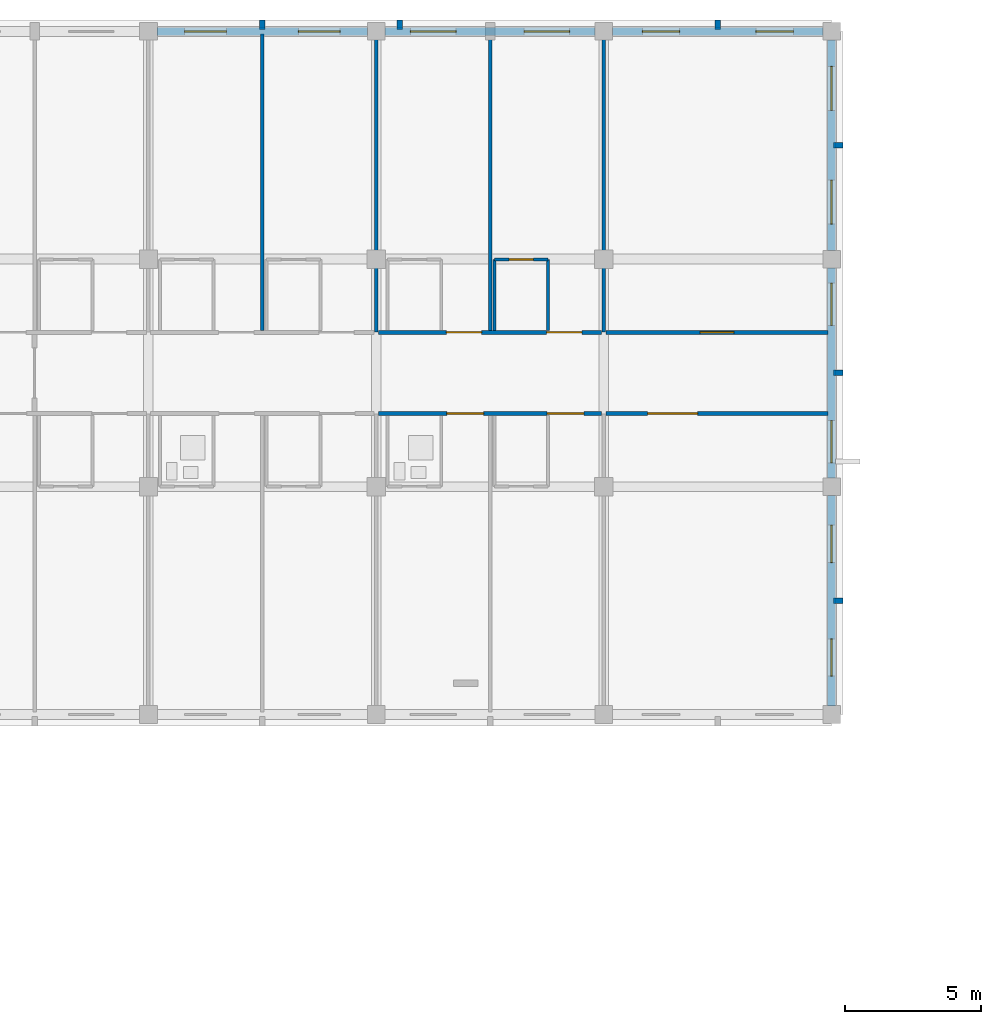
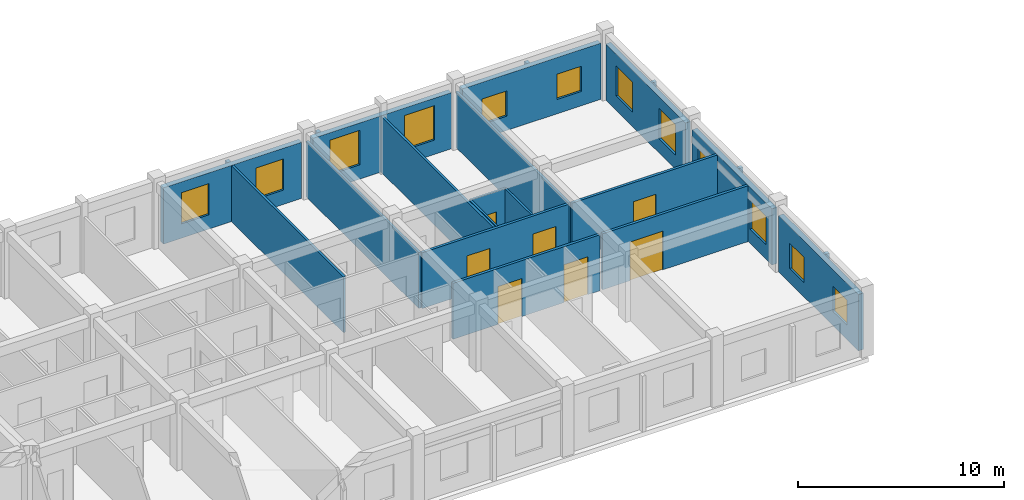
# One storey, part 76 of 90: 23 walls, 12 windows, 7 doors, 19 openings.
"""IFC4 building model written with IfcOpenShell, lengths in metres."""

from ifc_helpers import new_model, si_unit, direction, frame, frame_2d, origin, place, context, subcontext, project, spatial, rectangle, extrude, material, layer, layer_set, type_object, element, fill, save


model = new_model("IFC4")

# Units and contexts
model_context = context("Model", 3, precision=1e-05, world=origin(), true_north=direction((0.0, 1.0)))
body_context = subcontext(model_context, "Body", "Model", "MODEL_VIEW")
ifc_project = project(units=[si_unit("LENGTHUNIT", "METRE"), si_unit("AREAUNIT", "SQUARE_METRE"), si_unit("VOLUMEUNIT", "CUBIC_METRE"), si_unit("PLANEANGLEUNIT", "RADIAN"), si_unit("MASSUNIT", "GRAM", prefix="KILO")], contexts=[model_context])

# Site, building, storey
site_placement = place(None, origin())
site = spatial("IfcSite", under=ifc_project, at=site_placement, CompositionType="ELEMENT")
building_placement = place(site_placement, origin())
building = spatial("IfcBuilding", under=site, at=building_placement, Name="Trelvath General Hospital", CompositionType="ELEMENT")
storey_placement = place(building_placement, frame((0.0, 0.0, 20.39990234375)))
storey = spatial("IfcBuildingStorey", under=building, at=storey_placement, Name="L05", CompositionType="ELEMENT", Elevation=20.39990234375)

# Walls
ifc_material_1 = material(Name="Precast concrete C40/50", Category="concrete")
ifc_layer_1 = layer(ifc_material_1, 0.199951171875)
ifc_layer_set_1 = layer_set([ifc_layer_1], Name="Precast concrete C40/50")
wall_type_1 = type_object("IfcWallType", Name="BriseSoleilRib 200", PredefinedType="ELEMENTEDWALL", material=ifc_layer_set_1)
for number, where, z_axis, x_axis, name in (
    (1, (113.39990234375, 117.675048828125, 0.0), (0.0, 0.0, 1.0), (0.0, 1.0, 0.0), "Precast Concrete Brise-Soleil Rib Fin L05-402"),
    (2, (118.463134765625, 117.675048828125, 0.0), (0.0, 0.0, 1.0), (0.0, 1.0, 0.0), "Precast Concrete Brise-Soleil Rib Fin L05-404"),
    (3, (134.47509765625, 96.60009765625, 0.0), (0.0, 0.0, 1.0), (1.0, 0.0, 0.0), "Precast Concrete Brise-Soleil Rib Fin L05-406"),
    (4, (134.47509765625, 105.0, 0.0), (0.0, 0.0, 1.0), (1.0, 0.0, 0.0), "Precast Concrete Brise-Soleil Rib Fin L05-407"),
    (5, (130.199951171875, 117.675048828125, 0.0), (0.0, 0.0, 1.0), (0.0, 1.0, 0.0), "Precast Concrete Brise-Soleil Rib Fin L05-408"),
    (6, (134.47509765625, 113.39990234375, 0.0), (0.0, 0.0, 1.0), (1.0, 0.0, 0.0), "Precast Concrete Brise-Soleil Rib Fin L05-409"),
):
    element("IfcWall", number, at=place(storey_placement, frame(where, z_axis=z_axis, x_axis=x_axis)), inside=storey, type_object=wall_type_1, Name=name, PredefinedType="ELEMENTEDWALL", context=body_context, shape_type="SweptSolid", body=[
        extrude(rectangle(XDim=0.33984375, YDim=0.199951171875, at=frame_2d((0.169921875, 0.0))), origin(), (0.0, 0.0, 1.0), 3.320068359375),
    ])

# Wall, openings, doors
ifc_material_2 = material(Name="Gypsum acoustic steel-stud partition", Category="steel")
ifc_layer_2 = layer(ifc_material_2, 0.14990234375)
ifc_layer_set_2 = layer_set([ifc_layer_2], Name="Gypsum acoustic steel-stud partition")
wall_type_2 = type_object("IfcWallType", Name="ClinicalPartition 150", PredefinedType="PARTITIONING", material=ifc_layer_set_2)
wall_1_placement = place(storey_placement, frame((117.679931640625, 103.5, 0.0), z_axis=(0.0, 0.0, 1.0), x_axis=(1.0, 0.0, 0.0)))
wall_1 = element("IfcWall", 7, at=wall_1_placement, inside=storey, type_object=wall_type_2, Name="Corridor Partition L05-2006", PredefinedType="PARTITIONING", context=body_context, shape_type="SweptSolid", body=[
    extrude(rectangle(XDim=8.239990234375, YDim=0.14990234375, at=frame_2d((4.1201171875, 0.0))), origin(), (0.0, 0.0, 1.0), 3.320068359375),
])
opening_1_placement = place(wall_1_placement, frame((2.530029296875, 0.0, 0.0)))
opening_1 = element("IfcOpeningElement", 8, at=opening_1_placement, cuts=wall_1, Name="Opening D-5-1293", PredefinedType="OPENING", context=body_context, shape_type="SweptSolid", body=[
    extrude(rectangle(XDim=1.35009765625, YDim=2.25, at=frame_2d((0.675048828125, 1.125))), frame((0.0, 0.0849609375, 0.0), z_axis=(0.0, -1.0, 0.0), x_axis=(1.0, 0.0, 0.0)), (0.0, 0.0, 1.0), 0.169921875),
])
opening_2_placement = place(wall_1_placement, frame((6.22998046875, 0.0, 0.0)))
opening_2 = element("IfcOpeningElement", 9, at=opening_2_placement, cuts=wall_1, Name="Opening D-5-1294", PredefinedType="OPENING", context=body_context, shape_type="SweptSolid", body=[
    extrude(rectangle(XDim=1.35009765625, YDim=2.25, at=frame_2d((0.675048828125, 1.125))), frame((0.0, 0.0849609375, 0.0), z_axis=(0.0, -1.0, 0.0), x_axis=(1.0, 0.0, 0.0)), (0.0, 0.0, 1.0), 0.169921875),
])
ifc_material_3 = material(Name="Airtight isolation bed door")
door_type_1 = type_object("IfcDoorType", Name="Door PatientIso 1350x2250", OperationType="NOTDEFINED", PredefinedType="DOOR", material=ifc_material_3)
door_1_placement = place(opening_1_placement, origin())
door_1 = element("IfcDoor", 10, at=door_1_placement, inside=storey, type_object=door_type_1, Name="Patient Room Door L05-1293", OperationType="SINGLE_SWING_LEFT", OverallHeight=2.25, OverallWidth=1.35009765625, PredefinedType="DOOR", context=body_context, shape_type="SweptSolid", body=[
    extrude(rectangle(XDim=1.35009765625, YDim=2.25, at=frame_2d((0.675048828125, 1.125))), frame((0.0, 0.02490234375, 0.0), z_axis=(0.0, -1.0, 0.0), x_axis=(1.0, 0.0, 0.0)), (0.0, 0.0, 1.0), 0.050048828125),
])
fill(opening_1, door_1)
door_2_placement = place(opening_2_placement, origin())
door_2 = element("IfcDoor", 11, at=door_2_placement, inside=storey, type_object=door_type_1, Name="Patient Room Door L05-1294", OperationType="SINGLE_SWING_RIGHT", OverallHeight=2.25, OverallWidth=1.35009765625, PredefinedType="DOOR", context=body_context, shape_type="SweptSolid", body=[
    extrude(rectangle(XDim=1.35009765625, YDim=2.25, at=frame_2d((0.675048828125, 1.125))), frame((0.0, 0.02490234375, 0.0), z_axis=(0.0, -1.0, 0.0), x_axis=(1.0, 0.0, 0.0)), (0.0, 0.0, 1.0), 0.050048828125),
])
fill(opening_2, door_2)

wall_2_placement = place(storey_placement, frame((125.919921875, 106.5, 0.0), z_axis=(0.0, 0.0, 1.0), x_axis=(-1.0, 0.0, 0.0)))
wall_2 = element("IfcWall", 12, at=wall_2_placement, inside=storey, type_object=wall_type_2, Name="Corridor Partition N L05-2015", PredefinedType="PARTITIONING", context=body_context, shape_type="SweptSolid", body=[
    extrude(rectangle(XDim=8.239990234375, YDim=0.14990234375, at=frame_2d((4.1201171875, 0.0))), origin(), (0.0, 0.0, 1.0), 3.320068359375),
])
opening_3_placement = place(wall_2_placement, frame((0.72998046875, 0.0, 0.0)))
opening_3 = element("IfcOpeningElement", 13, at=opening_3_placement, cuts=wall_2, Name="Opening D-5-1297", PredefinedType="OPENING", context=body_context, shape_type="SweptSolid", body=[
    extrude(rectangle(XDim=1.300048828125, YDim=2.25, at=frame_2d((0.64990234375, 1.125))), frame((0.0, 0.0849609375, 0.0), z_axis=(0.0, -1.0, 0.0), x_axis=(1.0, 0.0, 0.0)), (0.0, 0.0, 1.0), 0.169921875),
])
opening_4_placement = place(wall_2_placement, frame((4.429931640625, 0.0, 0.0)))
opening_4 = element("IfcOpeningElement", 14, at=opening_4_placement, cuts=wall_2, Name="Opening D-5-1298", PredefinedType="OPENING", context=body_context, shape_type="SweptSolid", body=[
    extrude(rectangle(XDim=1.300048828125, YDim=2.25, at=frame_2d((0.64990234375, 1.125))), frame((0.0, 0.0849609375, 0.0), z_axis=(0.0, -1.0, 0.0), x_axis=(1.0, 0.0, 0.0)), (0.0, 0.0, 1.0), 0.169921875),
])
ifc_material_4 = material(Name="Hospital bed-leaf timber door", Category="wood")
door_type_2 = type_object("IfcDoorType", Name="Door PatientBed 1300x2250", OperationType="NOTDEFINED", PredefinedType="DOOR", material=ifc_material_4)
door_3_placement = place(opening_3_placement, origin())
door_3 = element("IfcDoor", 15, at=door_3_placement, inside=storey, type_object=door_type_2, Name="Patient Room Door N L05-1297", OperationType="SINGLE_SWING_LEFT", OverallHeight=2.25, OverallWidth=1.300048828125, PredefinedType="DOOR", context=body_context, shape_type="SweptSolid", body=[
    extrude(rectangle(XDim=1.300048828125, YDim=2.25, at=frame_2d((0.64990234375, 1.125))), frame((0.0, 0.02490234375, 0.0), z_axis=(0.0, -1.0, 0.0), x_axis=(1.0, 0.0, 0.0)), (0.0, 0.0, 1.0), 0.050048828125),
])
fill(opening_3, door_3)
door_4_placement = place(opening_4_placement, origin())
door_4 = element("IfcDoor", 16, at=door_4_placement, inside=storey, type_object=door_type_2, Name="Patient Room Door N L05-1298", OperationType="SINGLE_SWING_LEFT", OverallHeight=2.25, OverallWidth=1.300048828125, PredefinedType="DOOR", context=body_context, shape_type="SweptSolid", body=[
    extrude(rectangle(XDim=1.300048828125, YDim=2.25, at=frame_2d((0.64990234375, 1.125))), frame((0.0, 0.02490234375, 0.0), z_axis=(0.0, -1.0, 0.0), x_axis=(1.0, 0.0, 0.0)), (0.0, 0.0, 1.0), 0.050048828125),
])
fill(opening_4, door_4)

# Wall, opening, door
wall_3_placement = place(storey_placement, frame((126.080078125, 103.5, 0.0), z_axis=(0.0, 0.0, 1.0), x_axis=(1.0, 0.0, 0.0)))
wall_3 = element("IfcWall", 17, at=wall_3_placement, inside=storey, type_object=wall_type_2, Name="Corridor Partition L05-2025", PredefinedType="PARTITIONING", context=body_context, shape_type="SweptSolid", body=[
    extrude(rectangle(XDim=8.179931640625, YDim=0.14990234375, at=frame_2d((4.08984375, 0.0))), origin(), (0.0, 0.0, 1.0), 3.320068359375),
])
opening_5_placement = place(wall_3_placement, frame((1.530029296875, 0.0, 0.0)))
opening_5 = element("IfcOpeningElement", 18, at=opening_5_placement, cuts=wall_3, Name="Opening D-5-1301", PredefinedType="OPENING", context=body_context, shape_type="SweptSolid", body=[
    extrude(rectangle(XDim=1.85009765625, YDim=2.300048828125, at=frame_2d((0.925048828125, 1.14990234375))), frame((0.0, 0.0849609375, 0.0), z_axis=(0.0, -1.0, 0.0), x_axis=(1.0, 0.0, 0.0)), (0.0, 0.0, 1.0), 0.169921875),
])
ifc_material_5 = material(Name="Fire-rated steel cross-corridor pair", Category="steel")
door_type_3 = type_object("IfcDoorType", Name="Door SmokeCross 1850x2300", OperationType="DOUBLE_SWING_LEFT", PredefinedType="DOOR", material=ifc_material_5)
door_5_placement = place(opening_5_placement, origin())
door_5 = element("IfcDoor", 19, at=door_5_placement, inside=storey, type_object=door_type_3, Name="Waiting Lounge Door L05-1301", OperationType="DOUBLE_SWING_LEFT", OverallHeight=2.300048828125, OverallWidth=1.85009765625, PredefinedType="DOOR", context=body_context, shape_type="SweptSolid", body=[
    extrude(rectangle(XDim=1.85009765625, YDim=2.300048828125, at=frame_2d((0.925048828125, 1.14990234375))), frame((0.0, 0.02490234375, 0.0), z_axis=(0.0, -1.0, 0.0), x_axis=(1.0, 0.0, 0.0)), (0.0, 0.0, 1.0), 0.050048828125),
])
fill(opening_5, door_5)

wall_4_placement = place(storey_placement, frame((134.260009765625, 106.5, 0.0), z_axis=(0.0, 0.0, 1.0), x_axis=(-1.0, 0.0, 0.0)))
wall_4 = element("IfcWall", 20, at=wall_4_placement, inside=storey, type_object=wall_type_2, Name="Corridor Partition N L05-2026", PredefinedType="PARTITIONING", context=body_context, shape_type="SweptSolid", body=[
    extrude(rectangle(XDim=8.179931640625, YDim=0.14990234375, at=frame_2d((4.08984375, 0.0))), origin(), (0.0, 0.0, 1.0), 3.320068359375),
])
opening_6_placement = place(wall_4_placement, frame((3.465087890625, 0.0, 0.0)))
opening_6 = element("IfcOpeningElement", 21, at=opening_6_placement, cuts=wall_4, Name="Opening D-5-1302", PredefinedType="OPENING", context=body_context, shape_type="SweptSolid", body=[
    extrude(rectangle(XDim=1.25, YDim=2.199951171875, at=frame_2d((0.625, 1.10009765625))), frame((0.0, 0.0849609375, 0.0), z_axis=(0.0, -1.0, 0.0), x_axis=(1.0, 0.0, 0.0)), (0.0, 0.0, 1.0), 0.169921875),
])
ifc_material_6 = material(Name="Acoustic hospital timber leaf", Category="wood")
door_type_4 = type_object("IfcDoorType", Name="Door Treatment 1250x2200", OperationType="NOTDEFINED", PredefinedType="DOOR", material=ifc_material_6)
door_6_placement = place(opening_6_placement, origin())
door_6 = element("IfcDoor", 22, at=door_6_placement, inside=storey, type_object=door_type_4, Name="Clinical Room Door L05-1302", OperationType="SINGLE_SWING_RIGHT", OverallHeight=2.199951171875, OverallWidth=1.25, PredefinedType="DOOR", context=body_context, shape_type="SweptSolid", body=[
    extrude(rectangle(XDim=1.25, YDim=2.199951171875, at=frame_2d((0.625, 1.10009765625))), frame((0.0, 0.02490234375, 0.0), z_axis=(0.0, -1.0, 0.0), x_axis=(1.0, 0.0, 0.0)), (0.0, 0.0, 1.0), 0.050048828125),
])
fill(opening_6, door_6)

# Walls
ifc_material_7 = material(Name="Moisture-resistant tile partition")
ifc_layer_3 = layer(ifc_material_7, 0.110107421875)
ifc_layer_set_3 = layer_set([ifc_layer_3], Name="Moisture-resistant tile partition")
wall_type_3 = type_object("IfcWallType", Name="EnSuiteWetWall 110", PredefinedType="PARTITIONING", material=ifc_layer_set_3)
for number, where, z_axis, x_axis, name in (
    (23, (121.9599609375, 106.570068359375, 0.0), (0.0, 0.0, 1.0), (0.0, 1.0, 0.0), "En-Suite W Wall N L05-2020"),
    (24, (123.93994140625, 106.570068359375, 0.0), (0.0, 0.0, 1.0), (0.0, 1.0, 0.0), "En-Suite E Wall N L05-2021"),
):
    element("IfcWall", number, at=place(storey_placement, frame(where, z_axis=z_axis, x_axis=x_axis)), inside=storey, type_object=wall_type_3, Name=name, PredefinedType="PARTITIONING", context=body_context, shape_type="SweptSolid", body=[
        extrude(rectangle(XDim=2.60986328125, YDim=0.110107421875, at=frame_2d((1.304931640625, 0.0))), origin(), (0.0, 0.0, 1.0), 3.320068359375),
    ])

# Wall, opening, door
wall_5_placement = place(storey_placement, frame((121.9599609375, 109.179931640625, 0.0), z_axis=(0.0, 0.0, 1.0), x_axis=(1.0, 0.0, 0.0)))
wall_5 = element("IfcWall", 25, at=wall_5_placement, inside=storey, type_object=wall_type_3, Name="En-Suite Bathroom N Partition L05-2022", PredefinedType="PARTITIONING", context=body_context, shape_type="SweptSolid", body=[
    extrude(rectangle(XDim=1.97998046875, YDim=0.110107421875, at=frame_2d((0.989990234375, 0.0))), origin(), (0.0, 0.0, 1.0), 3.320068359375),
])
opening_7_placement = place(wall_5_placement, frame((0.5400390625, 0.0, 0.0)))
opening_7 = element("IfcOpeningElement", 26, at=opening_7_placement, cuts=wall_5, Name="Opening D-5-1300", PredefinedType="OPENING", context=body_context, shape_type="SweptSolid", body=[
    extrude(rectangle(XDim=0.89990234375, YDim=2.10009765625, at=frame_2d((0.449951171875, 1.050048828125))), frame((0.0, 0.06494140625, 0.0), z_axis=(0.0, -1.0, 0.0), x_axis=(1.0, 0.0, 0.0)), (0.0, 0.0, 1.0), 0.130126953125),
])
ifc_material_8 = material(Name="Moisture-sealed timber leaf", Category="wood")
door_type_5 = type_object("IfcDoorType", Name="Door EnSuite 900x2100", OperationType="NOTDEFINED", PredefinedType="DOOR", material=ifc_material_8)
door_7_placement = place(opening_7_placement, origin())
door_7 = element("IfcDoor", 27, at=door_7_placement, inside=storey, type_object=door_type_5, Name="En-Suite Bathroom N Door L05-1300", OperationType="SINGLE_SWING_LEFT", OverallHeight=2.10009765625, OverallWidth=0.89990234375, PredefinedType="DOOR", context=body_context, shape_type="SweptSolid", body=[
    extrude(rectangle(XDim=0.89990234375, YDim=2.10009765625, at=frame_2d((0.449951171875, 1.050048828125))), frame((0.0, 0.02490234375, 0.0), z_axis=(0.0, -1.0, 0.0), x_axis=(1.0, 0.0, 0.0)), (0.0, 0.0, 1.0), 0.050048828125),
])
fill(opening_7, door_7)

# Wall, openings, windows
ifc_material_9 = material(Name="Concrete C35/45", Category="concrete")
ifc_layer_4 = layer(ifc_material_9, 0.2900390625)
ifc_layer_set_4 = layer_set([ifc_layer_4], Name="Concrete C35/45")
wall_type_4 = type_object("IfcWallType", Name="ExtBushHammeredWall 290", PredefinedType="SOLIDWALL", material=ifc_layer_set_4)
wall_6_placement = place(storey_placement, frame((109.52001953125, 117.60009765625, 0.0), z_axis=(0.0, 0.0, 1.0), x_axis=(1.0, 0.0, 0.0)))
wall_6 = element("IfcWall", 28, at=wall_6_placement, inside=storey, type_object=wall_type_4, Name="Exterior Concrete Wall L05-542", PredefinedType="SOLIDWALL", context=body_context, shape_type="SweptSolid", body=[
    extrude(rectangle(XDim=7.760009765625, YDim=0.2900390625, at=frame_2d((3.8798828125, 0.0))), origin(), (0.0, 0.0, 1.0), 3.340087890625),
])
opening_8_placement = place(wall_6_placement, frame((1.014892578125, 0.0, 0.85009765625)))
opening_8 = element("IfcOpeningElement", 29, at=opening_8_placement, cuts=wall_6, Name="Opening WN-5-901", PredefinedType="OPENING", context=body_context, shape_type="SweptSolid", body=[
    extrude(rectangle(XDim=1.5400390625, YDim=1.85009765625, at=frame_2d((0.77001953125, 0.925048828125))), frame((0.0, 0.155029296875, 0.0), z_axis=(0.0, -1.0, 0.0), x_axis=(1.0, 0.0, 0.0)), (0.0, 0.0, 1.0), 0.31005859375),
])
opening_9_placement = place(wall_6_placement, frame((5.205078125, 0.0, 0.85009765625)))
opening_9 = element("IfcOpeningElement", 30, at=opening_9_placement, cuts=wall_6, Name="Opening WN-5-902", PredefinedType="OPENING", context=body_context, shape_type="SweptSolid", body=[
    extrude(rectangle(XDim=1.5400390625, YDim=1.85009765625, at=frame_2d((0.77001953125, 0.925048828125))), frame((0.0, 0.155029296875, 0.0), z_axis=(0.0, -1.0, 0.0), x_axis=(1.0, 0.0, 0.0)), (0.0, 0.0, 1.0), 0.31005859375),
])
ifc_material_10 = material(Name="Low-E laminated glass", Category="glass")
window_type_1 = type_object("IfcWindowType", Name="Window Waiting 1540x1850", PartitioningType="DOUBLE_PANEL_VERTICAL", PredefinedType="WINDOW", material=ifc_material_10)
window_1_placement = place(opening_8_placement, origin())
window_1 = element("IfcWindow", 31, at=window_1_placement, inside=storey, type_object=window_type_1, Name="Solar Reveal Window L05-901", OverallHeight=1.85009765625, OverallWidth=1.5400390625, PartitioningType="SINGLE_PANEL", PredefinedType="WINDOW", context=body_context, shape_type="SweptSolid", body=[
    extrude(rectangle(XDim=1.5400390625, YDim=1.85009765625, at=frame_2d((0.77001953125, 0.925048828125))), frame((0.0, 0.030029296875, 0.0), z_axis=(0.0, -1.0, 0.0), x_axis=(1.0, 0.0, 0.0)), (0.0, 0.0, 1.0), 0.06005859375),
])
fill(opening_8, window_1)
window_2_placement = place(opening_9_placement, origin())
window_2 = element("IfcWindow", 32, at=window_2_placement, inside=storey, type_object=window_type_1, Name="Solar Reveal Window L05-902", OverallHeight=1.85009765625, OverallWidth=1.5400390625, PartitioningType="SINGLE_PANEL", PredefinedType="WINDOW", context=body_context, shape_type="SweptSolid", body=[
    extrude(rectangle(XDim=1.5400390625, YDim=1.85009765625, at=frame_2d((0.77001953125, 0.925048828125))), frame((0.0, 0.030029296875, 0.0), z_axis=(0.0, -1.0, 0.0), x_axis=(1.0, 0.0, 0.0)), (0.0, 0.0, 1.0), 0.06005859375),
])
fill(opening_9, window_2)

wall_7_placement = place(storey_placement, frame((117.919921875, 117.60009765625, 0.0), z_axis=(0.0, 0.0, 1.0), x_axis=(1.0, 0.0, 0.0)))
wall_7 = element("IfcWall", 33, at=wall_7_placement, inside=storey, type_object=wall_type_4, Name="Exterior Concrete Wall L05-544", PredefinedType="SOLIDWALL", context=body_context, shape_type="SweptSolid", body=[
    extrude(rectangle(XDim=7.760009765625, YDim=0.2900390625, at=frame_2d((3.8798828125, 0.0))), origin(), (0.0, 0.0, 1.0), 3.340087890625),
])
opening_10_placement = place(wall_7_placement, frame((0.94482421875, 0.0, 0.85009765625)))
opening_10 = element("IfcOpeningElement", 34, at=opening_10_placement, cuts=wall_7, Name="Opening WN-5-905", PredefinedType="OPENING", context=body_context, shape_type="SweptSolid", body=[
    extrude(rectangle(XDim=1.679931640625, YDim=2.050048828125, at=frame_2d((0.83984375, 1.02490234375))), frame((0.0, 0.155029296875, 0.0), z_axis=(0.0, -1.0, 0.0), x_axis=(1.0, 0.0, 0.0)), (0.0, 0.0, 1.0), 0.31005859375),
])
opening_11_placement = place(wall_7_placement, frame((5.13525390625, 0.0, 0.85009765625)))
opening_11 = element("IfcOpeningElement", 35, at=opening_11_placement, cuts=wall_7, Name="Opening WN-5-906", PredefinedType="OPENING", context=body_context, shape_type="SweptSolid", body=[
    extrude(rectangle(XDim=1.679931640625, YDim=2.050048828125, at=frame_2d((0.83984375, 1.02490234375))), frame((0.0, 0.155029296875, 0.0), z_axis=(0.0, -1.0, 0.0), x_axis=(1.0, 0.0, 0.0)), (0.0, 0.0, 1.0), 0.31005859375),
])
ifc_material_11 = material(Name="Low-E laminated glass", Category="glass")
window_type_2 = type_object("IfcWindowType", Name="Window Cafe 1680x2050", PartitioningType="DOUBLE_PANEL_VERTICAL", PredefinedType="WINDOW", material=ifc_material_11)
window_3_placement = place(opening_10_placement, origin())
window_3 = element("IfcWindow", 36, at=window_3_placement, inside=storey, type_object=window_type_2, Name="Solar Reveal Window L05-905", OverallHeight=2.050048828125, OverallWidth=1.679931640625, PartitioningType="SINGLE_PANEL", PredefinedType="WINDOW", context=body_context, shape_type="SweptSolid", body=[
    extrude(rectangle(XDim=1.679931640625, YDim=2.050048828125, at=frame_2d((0.83984375, 1.02490234375))), frame((0.0, 0.030029296875, 0.0), z_axis=(0.0, -1.0, 0.0), x_axis=(1.0, 0.0, 0.0)), (0.0, 0.0, 1.0), 0.06005859375),
])
fill(opening_10, window_3)
window_4_placement = place(opening_11_placement, origin())
window_4 = element("IfcWindow", 37, at=window_4_placement, inside=storey, type_object=window_type_2, Name="Solar Reveal Window L05-906", OverallHeight=2.050048828125, OverallWidth=1.679931640625, PartitioningType="SINGLE_PANEL", PredefinedType="WINDOW", context=body_context, shape_type="SweptSolid", body=[
    extrude(rectangle(XDim=1.679931640625, YDim=2.050048828125, at=frame_2d((0.83984375, 1.02490234375))), frame((0.0, 0.030029296875, 0.0), z_axis=(0.0, -1.0, 0.0), x_axis=(1.0, 0.0, 0.0)), (0.0, 0.0, 1.0), 0.06005859375),
])
fill(opening_11, window_4)

wall_8_placement = place(storey_placement, frame((134.39990234375, 100.47998046875, 0.0), z_axis=(0.0, 0.0, 1.0), x_axis=(0.0, -1.0, 0.0)))
wall_8 = element("IfcWall", 38, at=wall_8_placement, inside=storey, type_object=wall_type_4, Name="Exterior Concrete Wall L05-546", PredefinedType="SOLIDWALL", context=body_context, shape_type="SweptSolid", body=[
    extrude(rectangle(XDim=7.760009765625, YDim=0.2900390625, at=frame_2d((3.8798828125, 0.0))), origin(), (0.0, 0.0, 1.0), 3.340087890625),
])
opening_12_placement = place(wall_8_placement, frame((1.0947265625, 0.0, 0.85009765625)))
opening_12 = element("IfcOpeningElement", 39, at=opening_12_placement, cuts=wall_8, Name="Opening WN-5-909", PredefinedType="OPENING", context=body_context, shape_type="SweptSolid", body=[
    extrude(rectangle(XDim=1.3798828125, YDim=1.5, at=frame_2d((0.68994140625, 0.75))), frame((0.0, 0.155029296875, 0.0), z_axis=(0.0, -1.0, 0.0), x_axis=(1.0, 0.0, 0.0)), (0.0, 0.0, 1.0), 0.31005859375),
])
opening_13_placement = place(wall_8_placement, frame((5.28515625, 0.0, 0.85009765625)))
opening_13 = element("IfcOpeningElement", 40, at=opening_13_placement, cuts=wall_8, Name="Opening WN-5-910", PredefinedType="OPENING", context=body_context, shape_type="SweptSolid", body=[
    extrude(rectangle(XDim=1.3798828125, YDim=1.5, at=frame_2d((0.68994140625, 0.75))), frame((0.0, 0.155029296875, 0.0), z_axis=(0.0, -1.0, 0.0), x_axis=(1.0, 0.0, 0.0)), (0.0, 0.0, 1.0), 0.31005859375),
])
ifc_material_12 = material(Name="Low-E laminated glass", Category="glass")
window_type_3 = type_object("IfcWindowType", Name="Window Admin 1380x1500", PartitioningType="SINGLE_PANEL", PredefinedType="WINDOW", material=ifc_material_12)
window_5_placement = place(opening_12_placement, origin())
window_5 = element("IfcWindow", 41, at=window_5_placement, inside=storey, type_object=window_type_3, Name="Solar Reveal Window L05-909", OverallHeight=1.5, OverallWidth=1.3798828125, PartitioningType="SINGLE_PANEL", PredefinedType="WINDOW", context=body_context, shape_type="SweptSolid", body=[
    extrude(rectangle(XDim=1.3798828125, YDim=1.5, at=frame_2d((0.68994140625, 0.75))), frame((0.0, 0.030029296875, 0.0), z_axis=(0.0, -1.0, 0.0), x_axis=(1.0, 0.0, 0.0)), (0.0, 0.0, 1.0), 0.06005859375),
])
fill(opening_12, window_5)
window_6_placement = place(opening_13_placement, origin())
window_6 = element("IfcWindow", 42, at=window_6_placement, inside=storey, type_object=window_type_3, Name="Solar Reveal Window L05-910", OverallHeight=1.5, OverallWidth=1.3798828125, PartitioningType="SINGLE_PANEL", PredefinedType="WINDOW", context=body_context, shape_type="SweptSolid", body=[
    extrude(rectangle(XDim=1.3798828125, YDim=1.5, at=frame_2d((0.68994140625, 0.75))), frame((0.0, 0.030029296875, 0.0), z_axis=(0.0, -1.0, 0.0), x_axis=(1.0, 0.0, 0.0)), (0.0, 0.0, 1.0), 0.06005859375),
])
fill(opening_13, window_6)

wall_9_placement = place(storey_placement, frame((134.39990234375, 108.8798828125, 0.0), z_axis=(0.0, 0.0, 1.0), x_axis=(0.0, -1.0, 0.0)))
wall_9 = element("IfcWall", 43, at=wall_9_placement, inside=storey, type_object=wall_type_4, Name="Exterior Concrete Wall L05-547", PredefinedType="SOLIDWALL", context=body_context, shape_type="SweptSolid", body=[
    extrude(rectangle(XDim=7.759765625, YDim=0.2900390625, at=frame_2d((3.8798828125, 0.0))), origin(), (0.0, 0.0, 1.0), 3.340087890625),
])
opening_14_placement = place(wall_9_placement, frame((0.56494140625, 0.0, 0.85009765625)))
opening_14 = element("IfcOpeningElement", 44, at=opening_14_placement, cuts=wall_9, Name="Opening WN-5-911", PredefinedType="OPENING", context=body_context, shape_type="SweptSolid", body=[
    extrude(rectangle(XDim=1.56005859375, YDim=1.699951171875, at=frame_2d((0.780029296875, 0.85009765625))), frame((0.0, 0.155029296875, 0.0), z_axis=(0.0, -1.0, 0.0), x_axis=(1.0, 0.0, 0.0)), (0.0, 0.0, 1.0), 0.31005859375),
])
opening_15_placement = place(wall_9_placement, frame((5.635009765625, 0.0, 0.85009765625)))
opening_15 = element("IfcOpeningElement", 45, at=opening_15_placement, cuts=wall_9, Name="Opening WN-5-912", PredefinedType="OPENING", context=body_context, shape_type="SweptSolid", body=[
    extrude(rectangle(XDim=1.56005859375, YDim=1.699951171875, at=frame_2d((0.780029296875, 0.85009765625))), frame((0.0, 0.155029296875, 0.0), z_axis=(0.0, -1.0, 0.0), x_axis=(1.0, 0.0, 0.0)), (0.0, 0.0, 1.0), 0.31005859375),
])
ifc_material_13 = material(Name="Low-E laminated glass", Category="glass")
window_type_4 = type_object("IfcWindowType", Name="Window Dialysis 1560x1700", PartitioningType="DOUBLE_PANEL_VERTICAL", PredefinedType="WINDOW", material=ifc_material_13)
window_7_placement = place(opening_14_placement, origin())
window_7 = element("IfcWindow", 46, at=window_7_placement, inside=storey, type_object=window_type_4, Name="Solar Reveal Window L05-911", OverallHeight=1.699951171875, OverallWidth=1.56005859375, PartitioningType="SINGLE_PANEL", PredefinedType="WINDOW", context=body_context, shape_type="SweptSolid", body=[
    extrude(rectangle(XDim=1.56005859375, YDim=1.699951171875, at=frame_2d((0.780029296875, 0.85009765625))), frame((0.0, 0.030029296875, 0.0), z_axis=(0.0, -1.0, 0.0), x_axis=(1.0, 0.0, 0.0)), (0.0, 0.0, 1.0), 0.06005859375),
])
fill(opening_14, window_7)
window_8_placement = place(opening_15_placement, origin())
window_8 = element("IfcWindow", 47, at=window_8_placement, inside=storey, type_object=window_type_4, Name="Solar Reveal Window L05-912", OverallHeight=1.699951171875, OverallWidth=1.56005859375, PartitioningType="SINGLE_PANEL", PredefinedType="WINDOW", context=body_context, shape_type="SweptSolid", body=[
    extrude(rectangle(XDim=1.56005859375, YDim=1.699951171875, at=frame_2d((0.780029296875, 0.85009765625))), frame((0.0, 0.030029296875, 0.0), z_axis=(0.0, -1.0, 0.0), x_axis=(1.0, 0.0, 0.0)), (0.0, 0.0, 1.0), 0.06005859375),
])
fill(opening_15, window_8)

wall_10_placement = place(storey_placement, frame((126.320068359375, 117.60009765625, 0.0), z_axis=(0.0, 0.0, 1.0), x_axis=(1.0, 0.0, 0.0)))
wall_10 = element("IfcWall", 48, at=wall_10_placement, inside=storey, type_object=wall_type_4, Name="Exterior Concrete Wall L05-548", PredefinedType="SOLIDWALL", context=body_context, shape_type="SweptSolid", body=[
    extrude(rectangle(XDim=7.760009765625, YDim=0.2900390625, at=frame_2d((3.8798828125, 0.0))), origin(), (0.0, 0.0, 1.0), 3.340087890625),
])
opening_16_placement = place(wall_10_placement, frame((1.0947265625, 0.0, 0.85009765625)))
opening_16 = element("IfcOpeningElement", 49, at=opening_16_placement, cuts=wall_10, Name="Opening WN-5-913", PredefinedType="OPENING", context=body_context, shape_type="SweptSolid", body=[
    extrude(rectangle(XDim=1.3798828125, YDim=1.5, at=frame_2d((0.68994140625, 0.75))), frame((0.0, 0.155029296875, 0.0), z_axis=(0.0, -1.0, 0.0), x_axis=(1.0, 0.0, 0.0)), (0.0, 0.0, 1.0), 0.31005859375),
])
opening_17_placement = place(wall_10_placement, frame((5.28515625, 0.0, 0.85009765625)))
opening_17 = element("IfcOpeningElement", 50, at=opening_17_placement, cuts=wall_10, Name="Opening WN-5-914", PredefinedType="OPENING", context=body_context, shape_type="SweptSolid", body=[
    extrude(rectangle(XDim=1.3798828125, YDim=1.5, at=frame_2d((0.68994140625, 0.75))), frame((0.0, 0.155029296875, 0.0), z_axis=(0.0, -1.0, 0.0), x_axis=(1.0, 0.0, 0.0)), (0.0, 0.0, 1.0), 0.31005859375),
])
window_9_placement = place(opening_16_placement, origin())
window_9 = element("IfcWindow", 51, at=window_9_placement, inside=storey, type_object=window_type_3, Name="Solar Reveal Window L05-913", OverallHeight=1.5, OverallWidth=1.3798828125, PartitioningType="SINGLE_PANEL", PredefinedType="WINDOW", context=body_context, shape_type="SweptSolid", body=[
    extrude(rectangle(XDim=1.3798828125, YDim=1.5, at=frame_2d((0.68994140625, 0.75))), frame((0.0, 0.030029296875, 0.0), z_axis=(0.0, -1.0, 0.0), x_axis=(1.0, 0.0, 0.0)), (0.0, 0.0, 1.0), 0.06005859375),
])
fill(opening_16, window_9)
window_10_placement = place(opening_17_placement, origin())
window_10 = element("IfcWindow", 52, at=window_10_placement, inside=storey, type_object=window_type_3, Name="Solar Reveal Window L05-914", OverallHeight=1.5, OverallWidth=1.3798828125, PartitioningType="SINGLE_PANEL", PredefinedType="WINDOW", context=body_context, shape_type="SweptSolid", body=[
    extrude(rectangle(XDim=1.3798828125, YDim=1.5, at=frame_2d((0.68994140625, 0.75))), frame((0.0, 0.030029296875, 0.0), z_axis=(0.0, -1.0, 0.0), x_axis=(1.0, 0.0, 0.0)), (0.0, 0.0, 1.0), 0.06005859375),
])
fill(opening_17, window_10)

wall_11_placement = place(storey_placement, frame((134.39990234375, 117.280029296875, 0.0), z_axis=(0.0, 0.0, 1.0), x_axis=(0.0, -1.0, 0.0)))
wall_11 = element("IfcWall", 53, at=wall_11_placement, inside=storey, type_object=wall_type_4, Name="Exterior Concrete Wall L05-549", PredefinedType="SOLIDWALL", context=body_context, shape_type="SweptSolid", body=[
    extrude(rectangle(XDim=7.760009765625, YDim=0.2900390625, at=frame_2d((3.8798828125, 0.0))), origin(), (0.0, 0.0, 1.0), 3.340087890625),
])
opening_18_placement = place(wall_11_placement, frame((0.974853515625, 0.0, 0.85009765625)))
opening_18 = element("IfcOpeningElement", 54, at=opening_18_placement, cuts=wall_11, Name="Opening WN-5-915", PredefinedType="OPENING", context=body_context, shape_type="SweptSolid", body=[
    extrude(rectangle(XDim=1.6201171875, YDim=1.800048828125, at=frame_2d((0.81005859375, 0.89990234375))), frame((0.0, 0.155029296875, 0.0), z_axis=(0.0, -1.0, 0.0), x_axis=(1.0, 0.0, 0.0)), (0.0, 0.0, 1.0), 0.31005859375),
])
opening_19_placement = place(wall_11_placement, frame((5.165283203125, 0.0, 0.85009765625)))
opening_19 = element("IfcOpeningElement", 55, at=opening_19_placement, cuts=wall_11, Name="Opening WN-5-916", PredefinedType="OPENING", context=body_context, shape_type="SweptSolid", body=[
    extrude(rectangle(XDim=1.6201171875, YDim=1.800048828125, at=frame_2d((0.81005859375, 0.89990234375))), frame((0.0, 0.155029296875, 0.0), z_axis=(0.0, -1.0, 0.0), x_axis=(1.0, 0.0, 0.0)), (0.0, 0.0, 1.0), 0.31005859375),
])
ifc_material_14 = material(Name="Low-E laminated glass", Category="glass")
window_type_5 = type_object("IfcWindowType", Name="Window Rehab 1620x1800", PartitioningType="DOUBLE_PANEL_VERTICAL", PredefinedType="WINDOW", material=ifc_material_14)
window_11_placement = place(opening_18_placement, origin())
window_11 = element("IfcWindow", 56, at=window_11_placement, inside=storey, type_object=window_type_5, Name="Solar Reveal Window L05-915", OverallHeight=1.800048828125, OverallWidth=1.6201171875, PartitioningType="SINGLE_PANEL", PredefinedType="WINDOW", context=body_context, shape_type="SweptSolid", body=[
    extrude(rectangle(XDim=1.6201171875, YDim=1.800048828125, at=frame_2d((0.81005859375, 0.89990234375))), frame((0.0, 0.030029296875, 0.0), z_axis=(0.0, -1.0, 0.0), x_axis=(1.0, 0.0, 0.0)), (0.0, 0.0, 1.0), 0.06005859375),
])
fill(opening_18, window_11)
window_12_placement = place(opening_19_placement, origin())
window_12 = element("IfcWindow", 57, at=window_12_placement, inside=storey, type_object=window_type_5, Name="Solar Reveal Window L05-916", OverallHeight=1.800048828125, OverallWidth=1.6201171875, PartitioningType="SINGLE_PANEL", PredefinedType="WINDOW", context=body_context, shape_type="SweptSolid", body=[
    extrude(rectangle(XDim=1.6201171875, YDim=1.800048828125, at=frame_2d((0.81005859375, 0.89990234375))), frame((0.0, 0.030029296875, 0.0), z_axis=(0.0, -1.0, 0.0), x_axis=(1.0, 0.0, 0.0)), (0.0, 0.0, 1.0), 0.06005859375),
])
fill(opening_19, window_12)

# Walls
ifc_material_15 = material(Name="Gypsum acoustic steel-stud partition", Category="steel")
ifc_layer_5 = layer(ifc_material_15, 0.1298828125)
ifc_layer_set_5 = layer_set([ifc_layer_5], Name="Gypsum acoustic steel-stud partition")
wall_type_5 = type_object("IfcWallType", Name="WardPartition 130", PredefinedType="PARTITIONING", material=ifc_layer_set_5)
wall_12_placement = place(storey_placement, frame((113.39990234375, 106.570068359375, 0.0), z_axis=(0.0, 0.0, 1.0), x_axis=(0.0, 1.0, 0.0)))
element("IfcWall", 58, at=wall_12_placement, inside=storey, type_object=wall_type_5, Name="Room Dividing Partition N L05-1997", PredefinedType="PARTITIONING", context=body_context, shape_type="SweptSolid", body=[
    extrude(rectangle(XDim=10.929931640625, YDim=0.1298828125, at=frame_2d((5.46484375, 0.0))), origin(), (0.0, 0.0, 1.0), 3.320068359375),
])
wall_13_placement = place(storey_placement, frame((117.60009765625, 106.52001953125, 0.0), z_axis=(0.0, 0.0, 1.0), x_axis=(0.0, 1.0, 0.0)))
element("IfcWall", 59, at=wall_13_placement, inside=storey, type_object=wall_type_5, Name="Inter-Bay Ward Partition N L05-2005", PredefinedType="PARTITIONING", context=body_context, shape_type="SweptSolid", body=[
    extrude(rectangle(XDim=10.93994140625, YDim=0.1298828125, at=frame_2d((5.469970703125, 0.0))), origin(), (0.0, 0.0, 1.0), 3.320068359375),
])
wall_14_placement = place(storey_placement, frame((121.800048828125, 106.570068359375, 0.0), z_axis=(0.0, 0.0, 1.0), x_axis=(0.0, 1.0, 0.0)))
element("IfcWall", 60, at=wall_14_placement, inside=storey, type_object=wall_type_5, Name="Room Dividing Partition N L05-2016", PredefinedType="PARTITIONING", context=body_context, shape_type="SweptSolid", body=[
    extrude(rectangle(XDim=10.929931640625, YDim=0.1298828125, at=frame_2d((5.46484375, 0.0))), origin(), (0.0, 0.0, 1.0), 3.320068359375),
])
wall_15_placement = place(storey_placement, frame((126.0, 106.52001953125, 0.0), z_axis=(0.0, 0.0, 1.0), x_axis=(0.0, 1.0, 0.0)))
element("IfcWall", 61, at=wall_15_placement, inside=storey, type_object=wall_type_5, Name="Inter-Bay Ward Partition N L05-2024", PredefinedType="PARTITIONING", context=body_context, shape_type="SweptSolid", body=[
    extrude(rectangle(XDim=10.93994140625, YDim=0.1298828125, at=frame_2d((5.469970703125, 0.0))), origin(), (0.0, 0.0, 1.0), 3.320068359375),
])

save(model, "model.ifc")
